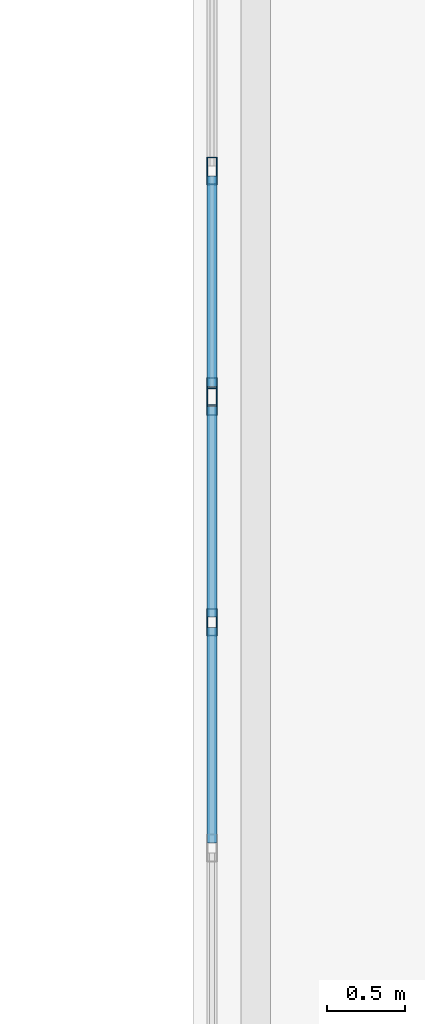
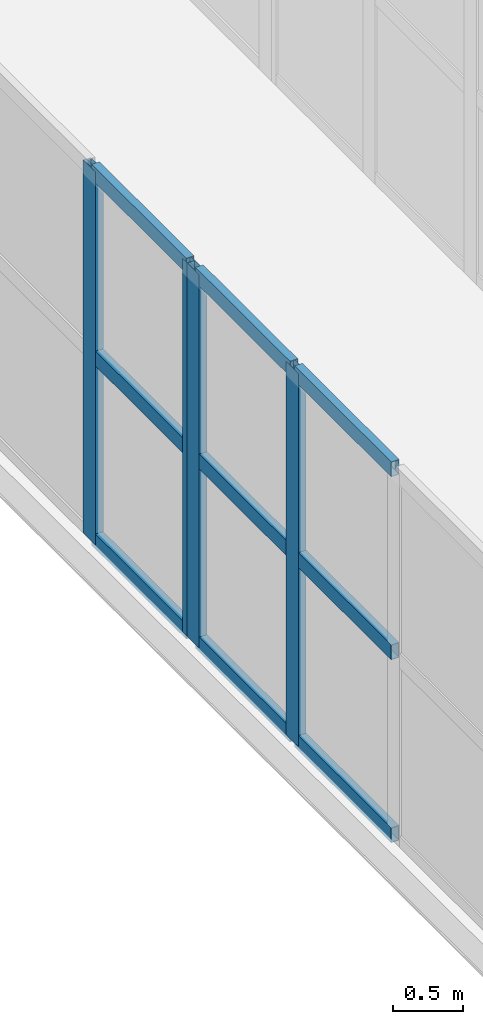
# One storey, part 19 of 52: 13 members, 2 elements without a shape of their own.
"""IFC4 building model written with IfcOpenShell, lengths in metres."""

from ifc_helpers import new_model, si_unit, direction, frame, origin, origin_2d, place, context, subcontext, project, spatial, hollow_rectangle, extrude, material, layer, layer_set, material_profile, profile_set, type_object, element, aggregate, save


model = new_model("IFC4")

# Units and contexts
model_context = context("Model", 3, precision=1e-05, world=origin(), true_north=direction((0.0, 1.0)))
body_context = subcontext(model_context, "Body", "Model", "MODEL_VIEW")
ifc_project = project(units=[si_unit("LENGTHUNIT", "METRE"), si_unit("AREAUNIT", "SQUARE_METRE"), si_unit("VOLUMEUNIT", "CUBIC_METRE"), si_unit("PLANEANGLEUNIT", "RADIAN"), si_unit("MASSUNIT", "GRAM", prefix="KILO")], contexts=[model_context])

# Site, building, storey
site_placement = place(None, origin())
site = spatial("IfcSite", under=ifc_project, at=site_placement, CompositionType="ELEMENT")
building_placement = place(site_placement, origin())
building = spatial("IfcBuilding", under=site, at=building_placement, Name="Valcora Specialist Clinic", CompositionType="ELEMENT")
storey_placement = place(building_placement, frame((0.0, 0.0, 17.679931640625)))
storey = spatial("IfcBuildingStorey", under=building, at=storey_placement, Name="L04", CompositionType="ELEMENT", Elevation=17.679931640625)

# Curtain wall, members
ifc_material = material(Name="Anodized Bronze Aluminium 6063-T6", Category="aluminium")
ifc_layer = layer(ifc_material, 0.175048828125)
ifc_layer_set = layer_set([ifc_layer], Name="Anodized Bronze Aluminium 6063-T6")
curtain_wall_type = type_object("IfcCurtainWallType", Name="TY-CW-BRG14", PredefinedType="NOTDEFINED", material=ifc_layer_set)
curtain_wall_1_placement = place(storey_placement, origin())
curtain_wall_1 = element("IfcCurtainWall", 1, at=curtain_wall_1_placement, inside=storey, type_object=curtain_wall_type, Name="Curtain wall CW-L04-273", PredefinedType="NOTDEFINED")
ifc_material_profile_1 = material_profile(ifc_material, hollow_rectangle(XDim=0.06494140625, YDim=0.175048828125, WallThickness=0.00390625, at=origin_2d()), Name="AL-MUL-65X175")
ifc_profile_set_1 = profile_set([ifc_material_profile_1], Name="Anodized Bronze Aluminium 6063-T6")
member_type_1 = type_object("IfcMemberType", Name="TY-CWM-65X175", PredefinedType="MULLION", material=ifc_profile_set_1)
member_1_placement = place(storey_placement, frame((61.320068359375, 60.72509765625, 0.0), z_axis=(0.0, 0.0, 1.0), x_axis=(-1.0, 0.0, 0.0)))
member_1 = element("IfcMember", 2, at=member_1_placement, type_object=member_type_1, Name="CW-BRG-14 mullion 4", PredefinedType="MULLION", context=body_context, shape_type="SweptSolid", body=[
    extrude(hollow_rectangle(XDim=0.06494140625, YDim=0.175048828125, WallThickness=0.00390625, at=origin_2d()), origin(), (0.0, 0.0, 1.0), 3.239990234375),
])
member_2_placement = place(storey_placement, frame((61.320068359375, 62.13427734375, 0.0), z_axis=(0.0, 0.0, 1.0), x_axis=(-1.0, 0.0, 0.0)))
member_2 = element("IfcMember", 3, at=member_2_placement, type_object=member_type_1, Name="CW-BRG-14 mullion 5", PredefinedType="MULLION", context=body_context, shape_type="SweptSolid", body=[
    extrude(hollow_rectangle(XDim=0.06494140625, YDim=0.175048828125, WallThickness=0.00390625, at=origin_2d()), origin(), (0.0, 0.0, 1.0), 3.239990234375),
])

curtain_wall_2_placement = place(storey_placement, origin())
curtain_wall_2 = element("IfcCurtainWall", 4, at=curtain_wall_2_placement, inside=storey, type_object=curtain_wall_type, Name="Curtain wall CW-L04-274", PredefinedType="NOTDEFINED")
member_3_placement = place(storey_placement, frame((61.320068359375, 62.19921875, 0.0), z_axis=(0.0, 0.0, 1.0), x_axis=(-1.0, 0.0, 0.0)))
member_3 = element("IfcMember", 5, at=member_3_placement, type_object=member_type_1, Name="CW-BRG-14 mullion 1", PredefinedType="MULLION", context=body_context, shape_type="SweptSolid", body=[
    extrude(hollow_rectangle(XDim=0.06494140625, YDim=0.175048828125, WallThickness=0.00390625, at=origin_2d()), origin(), (0.0, 0.0, 1.0), 3.239990234375),
])
member_4_placement = place(storey_placement, frame((61.320068359375, 63.6083984375, 0.0), z_axis=(0.0, 0.0, 1.0), x_axis=(-1.0, 0.0, 0.0)))
member_4 = element("IfcMember", 6, at=member_4_placement, type_object=member_type_1, Name="CW-BRG-14 mullion 2", PredefinedType="MULLION", context=body_context, shape_type="SweptSolid", body=[
    extrude(hollow_rectangle(XDim=0.06494140625, YDim=0.175048828125, WallThickness=0.00390625, at=origin_2d()), origin(), (0.0, 0.0, 1.0), 3.239990234375),
])

# Member
ifc_material_profile_2 = material_profile(ifc_material, hollow_rectangle(XDim=0.06494140625, YDim=0.1298828125, WallThickness=0.00390625, at=origin_2d()), Name="AL-TRN-65X130")
ifc_profile_set_2 = profile_set([ifc_material_profile_2], Name="Anodized Bronze Aluminium 6063-T6")
member_type_2 = type_object("IfcMemberType", Name="TY-CWT-65X130", PredefinedType="USERDEFINED", material=ifc_profile_set_2)
member_5_placement = place(storey_placement, frame((61.320068359375, 59.31591796875, 0.032470703125), z_axis=(0.0, 1.0, 0.0), x_axis=(-1.0, 0.0, 0.0)))
member_5 = element("IfcMember", 7, at=member_5_placement, type_object=member_type_2, Name="CW-BRG-14 transom 3.1", ObjectType="TRANSOM", PredefinedType="USERDEFINED", context=body_context, shape_type="SweptSolid", body=[
    extrude(hollow_rectangle(XDim=0.06494140625, YDim=0.1298828125, WallThickness=0.00390625, at=origin_2d()), origin(), (0.0, 0.0, 1.0), 1.376708984375),
])

member_6_placement = place(storey_placement, frame((61.320068359375, 59.31591796875, 1.6201171875), z_axis=(0.0, 1.0, 0.0), x_axis=(-1.0, 0.0, 0.0)))
member_6 = element("IfcMember", 8, at=member_6_placement, type_object=member_type_2, Name="CW-BRG-14 transom 3.2", ObjectType="TRANSOM", PredefinedType="USERDEFINED", context=body_context, shape_type="SweptSolid", body=[
    extrude(hollow_rectangle(XDim=0.06494140625, YDim=0.1298828125, WallThickness=0.00390625, at=origin_2d()), origin(), (0.0, 0.0, 1.0), 1.376708984375),
])

member_7_placement = place(storey_placement, frame((61.320068359375, 59.31591796875, 3.20751953125), z_axis=(0.0, 1.0, 0.0), x_axis=(-1.0, 0.0, 0.0)))
member_7 = element("IfcMember", 9, at=member_7_placement, type_object=member_type_2, Name="CW-BRG-14 transom 3.3", ObjectType="TRANSOM", PredefinedType="USERDEFINED", context=body_context, shape_type="SweptSolid", body=[
    extrude(hollow_rectangle(XDim=0.06494140625, YDim=0.1298828125, WallThickness=0.00390625, at=origin_2d()), origin(), (0.0, 0.0, 1.0), 1.376708984375),
])

member_8_placement = place(storey_placement, frame((61.320068359375, 60.757568359375, 0.032470703125), z_axis=(0.0, 1.0, 0.0), x_axis=(-1.0, 0.0, 0.0)))
member_8 = element("IfcMember", 10, at=member_8_placement, type_object=member_type_2, Name="CW-BRG-14 transom 4.1", ObjectType="TRANSOM", PredefinedType="USERDEFINED", context=body_context, shape_type="SweptSolid", body=[
    extrude(hollow_rectangle(XDim=0.06494140625, YDim=0.1298828125, WallThickness=0.00390625, at=origin_2d()), origin(), (0.0, 0.0, 1.0), 1.34423828125),
])

member_9_placement = place(storey_placement, frame((61.320068359375, 60.757568359375, 1.6201171875), z_axis=(0.0, 1.0, 0.0), x_axis=(-1.0, 0.0, 0.0)))
member_9 = element("IfcMember", 11, at=member_9_placement, type_object=member_type_2, Name="CW-BRG-14 transom 4.2", ObjectType="TRANSOM", PredefinedType="USERDEFINED", context=body_context, shape_type="SweptSolid", body=[
    extrude(hollow_rectangle(XDim=0.06494140625, YDim=0.1298828125, WallThickness=0.00390625, at=origin_2d()), origin(), (0.0, 0.0, 1.0), 1.34423828125),
])

member_10_placement = place(storey_placement, frame((61.320068359375, 60.757568359375, 3.20751953125), z_axis=(0.0, 1.0, 0.0), x_axis=(-1.0, 0.0, 0.0)))
member_10 = element("IfcMember", 12, at=member_10_placement, type_object=member_type_2, Name="CW-BRG-14 transom 4.3", ObjectType="TRANSOM", PredefinedType="USERDEFINED", context=body_context, shape_type="SweptSolid", body=[
    extrude(hollow_rectangle(XDim=0.06494140625, YDim=0.1298828125, WallThickness=0.00390625, at=origin_2d()), origin(), (0.0, 0.0, 1.0), 1.34423828125),
])

aggregate(curtain_wall_1, [member_1, member_2, member_5, member_6, member_7, member_8, member_9, member_10])

member_11_placement = place(storey_placement, frame((61.320068359375, 62.231689453125, 0.032470703125), z_axis=(0.0, 1.0, 0.0), x_axis=(-1.0, 0.0, 0.0)))
member_11 = element("IfcMember", 13, at=member_11_placement, type_object=member_type_2, Name="CW-BRG-14 transom 1.1", ObjectType="TRANSOM", PredefinedType="USERDEFINED", context=body_context, shape_type="SweptSolid", body=[
    extrude(hollow_rectangle(XDim=0.06494140625, YDim=0.1298828125, WallThickness=0.00390625, at=origin_2d()), origin(), (0.0, 0.0, 1.0), 1.34423828125),
])

member_12_placement = place(storey_placement, frame((61.320068359375, 62.231689453125, 1.6201171875), z_axis=(0.0, 1.0, 0.0), x_axis=(-1.0, 0.0, 0.0)))
member_12 = element("IfcMember", 14, at=member_12_placement, type_object=member_type_2, Name="CW-BRG-14 transom 1.2", ObjectType="TRANSOM", PredefinedType="USERDEFINED", context=body_context, shape_type="SweptSolid", body=[
    extrude(hollow_rectangle(XDim=0.06494140625, YDim=0.1298828125, WallThickness=0.00390625, at=origin_2d()), origin(), (0.0, 0.0, 1.0), 1.34423828125),
])

member_13_placement = place(storey_placement, frame((61.320068359375, 62.231689453125, 3.20751953125), z_axis=(0.0, 1.0, 0.0), x_axis=(-1.0, 0.0, 0.0)))
member_13 = element("IfcMember", 15, at=member_13_placement, type_object=member_type_2, Name="CW-BRG-14 transom 1.3", ObjectType="TRANSOM", PredefinedType="USERDEFINED", context=body_context, shape_type="SweptSolid", body=[
    extrude(hollow_rectangle(XDim=0.06494140625, YDim=0.1298828125, WallThickness=0.00390625, at=origin_2d()), origin(), (0.0, 0.0, 1.0), 1.34423828125),
])

aggregate(curtain_wall_2, [member_3, member_4, member_11, member_12, member_13])

save(model, "model.ifc")
